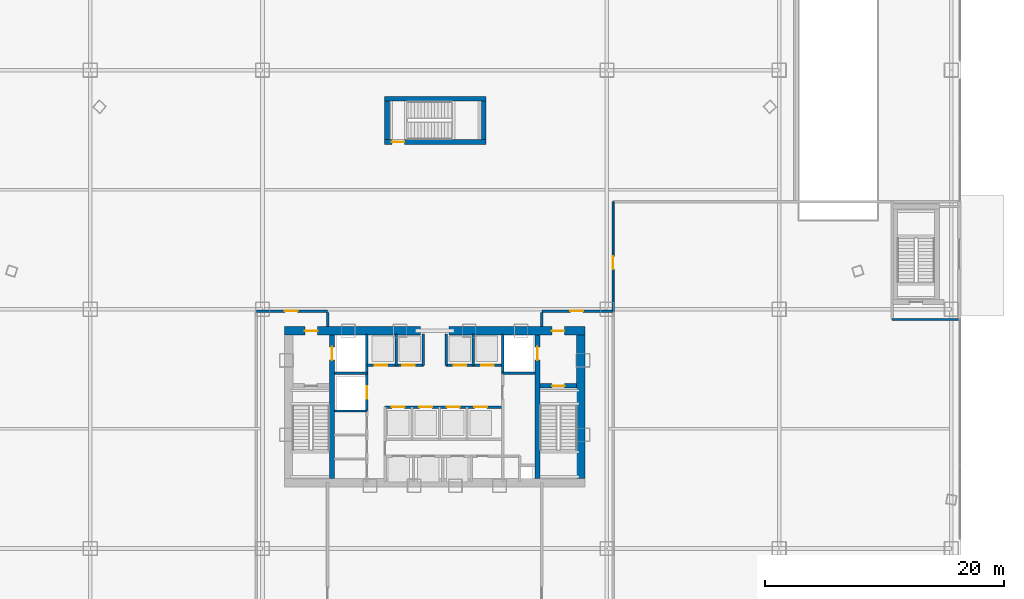
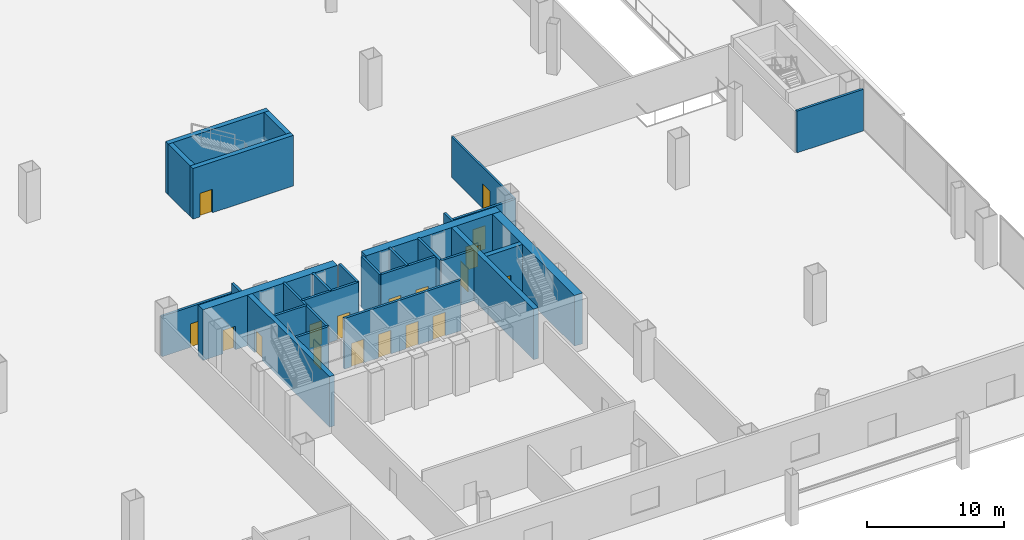
# One storey, part 51 of 58: 28 walls, 18 doors, 18 openings.
"""IFC4 building model written with IfcOpenShell, lengths in metres."""

from ifc_helpers import new_model, si_unit, direction, frame, frame_2d, origin, origin_with_axes, place, context, subcontext, project, spatial, rectangle, extrude, source, transform, mapped, material, layer, layer_set, type_object, element, fill, save


model = new_model("IFC4")

# Units and contexts
model_context = context("Model", 3, precision=1e-05, world=origin(), true_north=direction((0.0, 1.0)))
body_context = subcontext(model_context, "Body", "Model", "MODEL_VIEW")
ifc_project = project(units=[si_unit("LENGTHUNIT", "METRE"), si_unit("AREAUNIT", "SQUARE_METRE"), si_unit("VOLUMEUNIT", "CUBIC_METRE"), si_unit("PLANEANGLEUNIT", "RADIAN"), si_unit("MASSUNIT", "GRAM", prefix="KILO"), si_unit("THERMODYNAMICTEMPERATUREUNIT", "KELVIN"), si_unit("POWERUNIT", "WATT")], contexts=[model_context])

# Site, building, storey
site_placement = place(None, origin())
site = spatial("IfcSite", under=ifc_project, at=site_placement, CompositionType="ELEMENT")
building_placement = place(site_placement, origin())
building = spatial("IfcBuilding", under=site, at=building_placement, Name="Yunzhuo Pagoda Commons", CompositionType="ELEMENT")
storey_placement = place(building_placement, origin())
storey = spatial("IfcBuildingStorey", under=building, at=storey_placement, Name="L01", CompositionType="ELEMENT", Elevation=0.0)

# Wall, opening, door
ifc_material_1 = material(Name="Concrete C60", Category="concrete")
ifc_layer_1 = layer(ifc_material_1, 0.699951171875)
ifc_layer_set_1 = layer_set([ifc_layer_1], Name="Concrete C60")
wall_type_1 = type_object("IfcWallType", Name="W-C01 Lower Core Shear Wall 700", PredefinedType="SHEAR", material=ifc_layer_set_1)
wall_1_placement = place(storey_placement, frame((35.449951171875, 40.199951171875, 0.0), z_axis=(0.0, 0.0, 1.0), x_axis=(1.0, 0.0, 0.0)))
wall_1 = element("IfcWall", 1, at=wall_1_placement, inside=storey, type_object=wall_type_1, Name="L01 core shear wall NW", PredefinedType="SHEAR", context=body_context, shape_type="SweptSolid", body=[
    extrude(rectangle(XDim=11.35009765625, YDim=0.699951171875, at=frame_2d((5.675048828125, 0.0))), origin(), (0.0, 0.0, 1.0), 4.52001953125),
])
opening_1_placement = place(wall_1_placement, frame((1.699951171875, 0.0, 0.0)))
opening_1 = element("IfcOpeningElement", 2, at=opening_1_placement, cuts=wall_1, Name="Opening D-02", PredefinedType="OPENING", context=body_context, shape_type="SweptSolid", body=[
    extrude(rectangle(XDim=1.050048828125, YDim=2.10009765625, at=frame_2d((0.52490234375, 1.050048828125))), frame((0.0, 0.35986328125, 0.0), z_axis=(0.0, -1.0, 0.0), x_axis=(1.0, 0.0, 0.0)), (0.0, 0.0, 1.0), 0.719970703125),
])
ifc_material_2 = material(Name="Galvanized fire-resisting metal leaf")
door_type_1 = type_object("IfcDoorType", Name="D-02 Firefighting Lobby & Refuge Fire Door 1050x2100", OperationType="NOTDEFINED", PredefinedType="DOOR", material=ifc_material_2)
shared_shape_1 = source(origin(), body_context, "Body", "SweptSolid", [
    extrude(rectangle(XDim=1.050048828125, YDim=2.10009765625, at=frame_2d((0.52490234375, 1.050048828125))), frame((0.0, 0.02490234375, 0.0), z_axis=(0.0, -1.0, 0.0), x_axis=(1.0, 0.0, 0.0)), (0.0, 0.0, 1.0), 0.050048828125),
])
door_1_placement = place(opening_1_placement, origin_with_axes())
door_1 = element("IfcDoor", 3, at=door_1_placement, inside=storey, type_object=door_type_1, Name="L01 Firefighting Lobby 1 fire door", OperationType="SINGLE_SWING_LEFT", OverallHeight=2.10009765625, OverallWidth=1.050048828125, PredefinedType="DOOR", context=body_context, shape_type="MappedRepresentation", body=[
    mapped(shared_shape_1, transform((0.0, 0.0, 0.0), scale=1.0)),
])
fill(opening_1, door_1)

wall_2_placement = place(storey_placement, frame((49.199951171875, 40.199951171875, 0.0), z_axis=(0.0, 0.0, 1.0), x_axis=(1.0, 0.0, 0.0)))
wall_2 = element("IfcWall", 4, at=wall_2_placement, inside=storey, type_object=wall_type_1, Name="L01 core shear wall NE", PredefinedType="SHEAR", context=body_context, shape_type="SweptSolid", body=[
    extrude(rectangle(XDim=11.35009765625, YDim=0.699951171875, at=frame_2d((5.675048828125, 0.0))), origin(), (0.0, 0.0, 1.0), 4.52001953125),
])
opening_2_placement = place(wall_2_placement, frame((8.60009765625, 0.0, 0.0)))
opening_2 = element("IfcOpeningElement", 5, at=opening_2_placement, cuts=wall_2, Name="Opening D-02", PredefinedType="OPENING", context=body_context, shape_type="SweptSolid", body=[
    extrude(rectangle(XDim=1.050048828125, YDim=2.10009765625, at=frame_2d((0.52490234375, 1.050048828125))), frame((0.0, 0.35986328125, 0.0), z_axis=(0.0, -1.0, 0.0), x_axis=(1.0, 0.0, 0.0)), (0.0, 0.0, 1.0), 0.719970703125),
])
door_2_placement = place(opening_2_placement, origin_with_axes())
door_2 = element("IfcDoor", 6, at=door_2_placement, inside=storey, type_object=door_type_1, Name="L01 Firefighting Lobby 2 fire door", OperationType="SINGLE_SWING_RIGHT", OverallHeight=2.10009765625, OverallWidth=1.050048828125, PredefinedType="DOOR", context=body_context, shape_type="MappedRepresentation", body=[
    mapped(shared_shape_1, transform((0.0, 0.0, 0.0), scale=1.0)),
])
fill(opening_2, door_2)

# Wall
wall_3_placement = place(storey_placement, frame((60.199951171875, 27.85009765625, 0.0), z_axis=(0.0, 0.0, 1.0), x_axis=(0.0, 1.0, 0.0)))
element("IfcWall", 7, at=wall_3_placement, inside=storey, type_object=wall_type_1, Name="L01 core shear wall E", PredefinedType="SHEAR", context=body_context, shape_type="SweptSolid", body=[
    extrude(rectangle(XDim=12.0, YDim=0.699951171875, at=frame_2d((6.0, 0.0))), origin(), (0.0, 0.0, 1.0), 4.52001953125),
])

# Wall, opening, door
ifc_material_3 = material(Name="Gypsum plasterboard on acoustic stud")
ifc_layer_2 = layer(ifc_material_3, 0.159912109375)
ifc_layer_set_2 = layer_set([ifc_layer_2], Name="Gypsum plasterboard on acoustic stud")
wall_type_2 = type_object("IfcWallType", Name="W-COR1 Tower Rated Corridor Wall 160", PredefinedType="PARTITIONING", material=ifc_layer_set_2)
wall_4_placement = place(storey_placement, frame((62.919921875, 41.85009765625, 0.0), z_axis=(0.0, 0.0, 1.0), x_axis=(0.0, 1.0, 0.0)))
wall_4 = element("IfcWall", 8, at=wall_4_placement, inside=storey, type_object=wall_type_2, Name="L01 interior wall IW-L01-RETW", PredefinedType="PARTITIONING", context=body_context, shape_type="SweptSolid", body=[
    extrude(rectangle(XDim=9.14990234375, YDim=0.159912109375, at=frame_2d((4.574951171875, 0.0))), origin(), (0.0, 0.0, 1.0), 3.6201171875),
])
opening_3_placement = place(wall_4_placement, frame((3.5, 0.0, 0.0)))
opening_3 = element("IfcOpeningElement", 9, at=opening_3_placement, cuts=wall_4, Name="Opening D-09", PredefinedType="OPENING", context=body_context, shape_type="SweptSolid", body=[
    extrude(rectangle(XDim=1.10009765625, YDim=2.14990234375, at=frame_2d((0.550048828125, 1.074951171875))), frame((0.0, 0.08984375, 0.0), z_axis=(0.0, -1.0, 0.0), x_axis=(1.0, 0.0, 0.0)), (0.0, 0.0, 1.0), 0.179931640625),
])
door_type_2 = type_object("IfcDoorType", Name="D-09 Podium Commons Hall Fire Door 1100x2150", OperationType="NOTDEFINED", PredefinedType="DOOR", material=ifc_material_2)
shared_shape_2 = source(origin(), body_context, "Body", "SweptSolid", [
    extrude(rectangle(XDim=1.10009765625, YDim=2.14990234375, at=frame_2d((0.550048828125, 1.074951171875))), frame((0.0, 0.02490234375, 0.0), z_axis=(0.0, -1.0, 0.0), x_axis=(1.0, 0.0, 0.0)), (0.0, 0.0, 1.0), 0.050048828125),
])
door_3_placement = place(opening_3_placement, origin_with_axes())
door_3 = element("IfcDoor", 10, at=door_3_placement, inside=storey, type_object=door_type_2, Name="Commons retail door", OperationType="SINGLE_SWING_LEFT", OverallHeight=2.14990234375, OverallWidth=1.10009765625, PredefinedType="DOOR", context=body_context, shape_type="MappedRepresentation", body=[
    mapped(shared_shape_2, transform((0.0, 0.0, 0.0), scale=1.0)),
])
fill(opening_3, door_3)

ifc_layer_3 = layer(ifc_material_1, 0.39990234375)
ifc_layer_set_3 = layer_set([ifc_layer_3], Name="Concrete C60")
wall_type_3 = type_object("IfcWallType", Name="W-S01 Internal Core Shear Web 400", PredefinedType="SHEAR", material=ifc_layer_set_3)
wall_5_placement = place(storey_placement, frame((39.39990234375, 27.85009765625, 0.0), z_axis=(0.0, 0.0, 1.0), x_axis=(0.0, 1.0, 0.0)))
wall_5 = element("IfcWall", 11, at=wall_5_placement, inside=storey, type_object=wall_type_3, Name="L01 core shear wall WEBW", PredefinedType="SHEAR", context=body_context, shape_type="SweptSolid", body=[
    extrude(rectangle(XDim=12.0, YDim=0.39990234375, at=frame_2d((6.0, 0.0))), origin(), (0.0, 0.0, 1.0), 4.52001953125),
])
opening_4_placement = place(wall_5_placement, frame((9.89990234375, 0.0, 0.0)))
opening_4 = element("IfcOpeningElement", 12, at=opening_4_placement, cuts=wall_5, Name="Opening LD-01", PredefinedType="OPENING", context=body_context, shape_type="SweptSolid", body=[
    extrude(rectangle(XDim=1.10009765625, YDim=2.10009765625, at=frame_2d((0.550048828125, 1.050048828125))), frame((0.0, 0.2099609375, 0.0), z_axis=(0.0, -1.0, 0.0), x_axis=(1.0, 0.0, 0.0)), (0.0, 0.0, 1.0), 0.419921875),
])
door_type_3 = type_object("IfcDoorType", Name="LD-01 Firefighting Lift Landing Door 1100x2100", OperationType="DOUBLE_DOOR_SLIDING", PredefinedType="DOOR", material=ifc_material_2)
shared_shape_3 = source(origin(), body_context, "Body", "SweptSolid", [
    extrude(rectangle(XDim=1.10009765625, YDim=2.10009765625, at=frame_2d((0.550048828125, 1.050048828125))), frame((0.0, 0.02490234375, 0.0), z_axis=(0.0, -1.0, 0.0), x_axis=(1.0, 0.0, 0.0)), (0.0, 0.0, 1.0), 0.050048828125),
])
door_4_placement = place(opening_4_placement, frame((1.10009765625, 0.0, 0.0), z_axis=(0.0, 0.0, 1.0), x_axis=(-1.0, 0.0, 0.0)))
door_4 = element("IfcDoor", 13, at=door_4_placement, inside=storey, type_object=door_type_3, Name="L01 Firefighting lift FL-1 landing door", OperationType="DOUBLE_DOOR_SLIDING", OverallHeight=2.10009765625, OverallWidth=1.10009765625, PredefinedType="DOOR", context=body_context, shape_type="MappedRepresentation", body=[
    mapped(shared_shape_3, transform((0.0, 0.0, 0.0), scale=1.0)),
])
fill(opening_4, door_4)

wall_6_placement = place(storey_placement, frame((56.60009765625, 27.85009765625, 0.0), z_axis=(0.0, 0.0, 1.0), x_axis=(0.0, 1.0, 0.0)))
wall_6 = element("IfcWall", 14, at=wall_6_placement, inside=storey, type_object=wall_type_3, Name="L01 core shear wall WEBE", PredefinedType="SHEAR", context=body_context, shape_type="SweptSolid", body=[
    extrude(rectangle(XDim=12.0, YDim=0.39990234375, at=frame_2d((6.0, 0.0))), origin(), (0.0, 0.0, 1.0), 4.52001953125),
])
opening_5_placement = place(wall_6_placement, frame((9.89990234375, 0.0, 0.0)))
opening_5 = element("IfcOpeningElement", 15, at=opening_5_placement, cuts=wall_6, Name="Opening LD-01", PredefinedType="OPENING", context=body_context, shape_type="SweptSolid", body=[
    extrude(rectangle(XDim=1.10009765625, YDim=2.10009765625, at=frame_2d((0.550048828125, 1.050048828125))), frame((0.0, 0.2099609375, 0.0), z_axis=(0.0, -1.0, 0.0), x_axis=(1.0, 0.0, 0.0)), (0.0, 0.0, 1.0), 0.419921875),
])
door_5_placement = place(opening_5_placement, origin_with_axes())
door_5 = element("IfcDoor", 16, at=door_5_placement, inside=storey, type_object=door_type_3, Name="L01 Firefighting lift FL-2 landing door", OperationType="DOUBLE_DOOR_SLIDING", OverallHeight=2.10009765625, OverallWidth=1.10009765625, PredefinedType="DOOR", context=body_context, shape_type="MappedRepresentation", body=[
    mapped(shared_shape_3, transform((0.0, 0.0, 0.0), scale=1.0)),
])
fill(opening_5, door_5)

wall_7_placement = place(storey_placement, frame((56.800048828125, 35.60009765625, 0.0), z_axis=(0.0, 0.0, 1.0), x_axis=(1.0, 0.0, 0.0)))
wall_7 = element("IfcWall", 17, at=wall_7_placement, inside=storey, type_object=wall_type_3, Name="L01 core shear wall STE", PredefinedType="SHEAR", context=body_context, shape_type="SweptSolid", body=[
    extrude(rectangle(XDim=3.050048828125, YDim=0.39990234375, at=frame_2d((1.52490234375, 0.0))), origin(), (0.0, 0.0, 1.0), 4.52001953125),
])
opening_6_placement = place(wall_7_placement, frame((1.02001953125, 0.0, 0.0)))
opening_6 = element("IfcOpeningElement", 18, at=opening_6_placement, cuts=wall_7, Name="Opening D-01", PredefinedType="OPENING", context=body_context, shape_type="SweptSolid", body=[
    extrude(rectangle(XDim=1.050048828125, YDim=2.10009765625, at=frame_2d((0.52490234375, 1.050048828125))), frame((0.0, 0.2099609375, 0.0), z_axis=(0.0, -1.0, 0.0), x_axis=(1.0, 0.0, 0.0)), (0.0, 0.0, 1.0), 0.419921875),
])
door_type_4 = type_object("IfcDoorType", Name="D-01 Smokeproof Stair Fire Door 1050x2100", OperationType="NOTDEFINED", PredefinedType="DOOR", material=ifc_material_2)
door_6_placement = place(opening_6_placement, origin_with_axes())
door_6 = element("IfcDoor", 19, at=door_6_placement, inside=storey, type_object=door_type_4, Name="L01 Stair ST2 fire door", OperationType="SINGLE_SWING_RIGHT", OverallHeight=2.10009765625, OverallWidth=1.050048828125, PredefinedType="DOOR", context=body_context, shape_type="MappedRepresentation", body=[
    mapped(shared_shape_1, transform((0.0, 0.0, 0.0), scale=1.0)),
])
fill(opening_6, door_6)

# Wall
wall_8_placement = place(storey_placement, frame((43.800048828125, 59.60009765625, 0.0), z_axis=(0.0, 0.0, 1.0), x_axis=(1.0, 0.0, 0.0)))
element("IfcWall", 20, at=wall_8_placement, inside=storey, type_object=wall_type_3, Name="L01 ST3 structural stair wall N", PredefinedType="SHEAR", context=body_context, shape_type="SweptSolid", body=[
    extrude(rectangle(XDim=8.5, YDim=0.39990234375, at=frame_2d((4.25, 0.0))), origin(), (0.0, 0.0, 1.0), 4.52001953125),
])

# Wall, opening, door
wall_9_placement = place(storey_placement, frame((43.800048828125, 56.0, 0.0), z_axis=(0.0, 0.0, 1.0), x_axis=(1.0, 0.0, 0.0)))
wall_9 = element("IfcWall", 21, at=wall_9_placement, inside=storey, type_object=wall_type_3, Name="L01 ST3 structural stair wall S", PredefinedType="SHEAR", context=body_context, shape_type="SweptSolid", body=[
    extrude(rectangle(XDim=8.5, YDim=0.39990234375, at=frame_2d((4.25, 0.0))), origin(), (0.0, 0.0, 1.0), 4.52001953125),
])
opening_7_placement = place(wall_9_placement, frame((0.6201171875, 0.0, 0.0)))
opening_7 = element("IfcOpeningElement", 22, at=opening_7_placement, cuts=wall_9, Name="Opening D-01", PredefinedType="OPENING", context=body_context, shape_type="SweptSolid", body=[
    extrude(rectangle(XDim=1.050048828125, YDim=2.10009765625, at=frame_2d((0.52490234375, 1.050048828125))), frame((0.0, 0.2099609375, 0.0), z_axis=(0.0, -1.0, 0.0), x_axis=(1.0, 0.0, 0.0)), (0.0, 0.0, 1.0), 0.419921875),
])
door_7_placement = place(opening_7_placement, origin_with_axes())
door_7 = element("IfcDoor", 23, at=door_7_placement, inside=storey, type_object=door_type_4, Name="L01 Stair ST3 fire door", OperationType="SINGLE_SWING_LEFT", OverallHeight=2.10009765625, OverallWidth=1.050048828125, PredefinedType="DOOR", context=body_context, shape_type="MappedRepresentation", body=[
    mapped(shared_shape_1, transform((0.0, 0.0, 0.0), scale=1.0)),
])
fill(opening_7, door_7)

# Walls
for number, where, z_axis, x_axis, name in (
    (24, (44.0, 56.199951171875, 0.0), (0.0, 0.0, 1.0), (0.0, 1.0, 0.0), "L01 ST3 structural stair wall W"),
    (25, (52.10009765625, 56.199951171875, 0.0), (0.0, 0.0, 1.0), (0.0, 1.0, 0.0), "L01 ST3 structural stair wall E"),
):
    element("IfcWall", number, at=place(storey_placement, frame(where, z_axis=z_axis, x_axis=x_axis)), inside=storey, type_object=wall_type_3, Name=name, PredefinedType="SHEAR", context=body_context, shape_type="SweptSolid", body=[
        extrude(rectangle(XDim=3.199951171875, YDim=0.39990234375, at=frame_2d((1.60009765625, 0.0))), origin(), (0.0, 0.0, 1.0), 4.52001953125),
    ])

# Wall, opening, door
ifc_material_4 = material(Name="Concrete C40", Category="concrete")
ifc_layer_4 = layer(ifc_material_4, 0.199951171875)
ifc_layer_set_4 = layer_set([ifc_layer_4], Name="Concrete C40")
wall_type_4 = type_object("IfcWallType", Name="W-SHF Shaft & Stair Enclosure Wall 200", PredefinedType="SOLIDWALL", material=ifc_layer_set_4)
wall_10_placement = place(storey_placement, frame((42.320068359375, 33.5, 0.0), z_axis=(0.0, 0.0, 1.0), x_axis=(0.0, 1.0, 0.0)))
wall_10 = element("IfcWall", 26, at=wall_10_placement, inside=storey, type_object=wall_type_4, Name="L01 interior wall IW-L01-FL1E", PredefinedType="SOLIDWALL", context=body_context, shape_type="SweptSolid", body=[
    extrude(rectangle(XDim=6.449951171875, YDim=0.199951171875, at=frame_2d((3.22509765625, 0.0))), origin(), (0.0, 0.0, 1.0), 4.52001953125),
])
opening_8_placement = place(wall_10_placement, frame((1.0, 0.0, 0.0)))
opening_8 = element("IfcOpeningElement", 27, at=opening_8_placement, cuts=wall_10, Name="Opening LD-02", PredefinedType="OPENING", context=body_context, shape_type="SweptSolid", body=[
    extrude(rectangle(XDim=1.050048828125, YDim=2.10009765625, at=frame_2d((0.52490234375, 1.050048828125))), frame((0.0, 0.10986328125, 0.0), z_axis=(0.0, -1.0, 0.0), x_axis=(1.0, 0.0, 0.0)), (0.0, 0.0, 1.0), 0.219970703125),
])
door_type_5 = type_object("IfcDoorType", Name="LD-02 Passenger Lift Landing Door 1050x2100", OperationType="DOUBLE_DOOR_SLIDING", PredefinedType="DOOR", material=ifc_material_2)
door_8_placement = place(opening_8_placement, origin_with_axes())
door_8 = element("IfcDoor", 28, at=door_8_placement, inside=storey, type_object=door_type_5, Name="L01 Service lift SL-1 landing door", OperationType="DOUBLE_DOOR_SLIDING", OverallHeight=2.10009765625, OverallWidth=1.050048828125, PredefinedType="DOOR", context=body_context, shape_type="MappedRepresentation", body=[
    mapped(shared_shape_1, transform((0.0, 0.0, 0.0), scale=1.0)),
])
fill(opening_8, door_8)

# Walls
for number, where, z_axis, x_axis, name in (
    (29, (39.60009765625, 36.64990234375, 0.0), (0.0, 0.0, 1.0), (1.0, 0.0, 0.0), "L01 interior wall IW-L01-FL1S"),
    (30, (39.60009765625, 33.5, 0.0), (0.0, 0.0, 1.0), (1.0, 0.0, 0.0), "L01 interior wall IW-L01-SL1S"),
):
    element("IfcWall", number, at=place(storey_placement, frame(where, z_axis=z_axis, x_axis=x_axis)), inside=storey, type_object=wall_type_4, Name=name, PredefinedType="SOLIDWALL", context=body_context, shape_type="SweptSolid", body=[
        extrude(rectangle(XDim=2.719970703125, YDim=0.199951171875, at=frame_2d((1.35986328125, 0.0))), origin(), (0.0, 0.0, 1.0), 4.52001953125),
    ])
wall_11_placement = place(storey_placement, frame((53.679931640625, 36.64990234375, 0.0), z_axis=(0.0, 0.0, 1.0), x_axis=(0.0, 1.0, 0.0)))
element("IfcWall", 31, at=wall_11_placement, inside=storey, type_object=wall_type_4, Name="L01 interior wall IW-L01-FL2W", PredefinedType="SOLIDWALL", context=body_context, shape_type="SweptSolid", body=[
    extrude(rectangle(XDim=3.300048828125, YDim=0.199951171875, at=frame_2d((1.64990234375, 0.0))), origin(), (0.0, 0.0, 1.0), 4.52001953125),
])
wall_12_placement = place(storey_placement, frame((53.679931640625, 36.64990234375, 0.0), z_axis=(0.0, 0.0, 1.0), x_axis=(1.0, 0.0, 0.0)))
element("IfcWall", 32, at=wall_12_placement, inside=storey, type_object=wall_type_4, Name="L01 interior wall IW-L01-FL2S", PredefinedType="SOLIDWALL", context=body_context, shape_type="SweptSolid", body=[
    extrude(rectangle(XDim=2.719970703125, YDim=0.199951171875, at=frame_2d((1.35986328125, 0.0))), origin(), (0.0, 0.0, 1.0), 4.52001953125),
])

# Wall, openings, doors
wall_13_placement = place(storey_placement, frame((42.320068359375, 37.320068359375, 0.0), z_axis=(0.0, 0.0, 1.0), x_axis=(1.0, 0.0, 0.0)))
wall_13 = element("IfcWall", 33, at=wall_13_placement, inside=storey, type_object=wall_type_4, Name="L01 interior wall IW-L01-LBNW", PredefinedType="SOLIDWALL", context=body_context, shape_type="SweptSolid", body=[
    extrude(rectangle(XDim=4.72998046875, YDim=0.199951171875, at=frame_2d((2.364990234375, 0.0))), origin(), (0.0, 0.0, 1.0), 4.52001953125),
])
opening_9_placement = place(wall_13_placement, frame((0.64990234375, 0.0, 0.0)))
opening_9 = element("IfcOpeningElement", 34, at=opening_9_placement, cuts=wall_13, Name="Opening LD-02", PredefinedType="OPENING", context=body_context, shape_type="SweptSolid", body=[
    extrude(rectangle(XDim=1.050048828125, YDim=2.10009765625, at=frame_2d((0.52490234375, 1.050048828125))), frame((0.0, 0.10986328125, 0.0), z_axis=(0.0, -1.0, 0.0), x_axis=(1.0, 0.0, 0.0)), (0.0, 0.0, 1.0), 0.219970703125),
])
opening_10_placement = place(wall_13_placement, frame((2.949951171875, 0.0, 0.0)))
opening_10 = element("IfcOpeningElement", 35, at=opening_10_placement, cuts=wall_13, Name="Opening LD-02", PredefinedType="OPENING", context=body_context, shape_type="SweptSolid", body=[
    extrude(rectangle(XDim=1.050048828125, YDim=2.10009765625, at=frame_2d((0.52490234375, 1.050048828125))), frame((0.0, 0.10986328125, 0.0), z_axis=(0.0, -1.0, 0.0), x_axis=(1.0, 0.0, 0.0)), (0.0, 0.0, 1.0), 0.219970703125),
])
door_9_placement = place(opening_9_placement, frame((1.050048828125, 0.0, 0.0), z_axis=(0.0, 0.0, 1.0), x_axis=(-1.0, 0.0, 0.0)))
door_9 = element("IfcDoor", 36, at=door_9_placement, inside=storey, type_object=door_type_5, Name="L01 Passenger lift PL-L1 landing door", OperationType="DOUBLE_DOOR_SLIDING", OverallHeight=2.10009765625, OverallWidth=1.050048828125, PredefinedType="DOOR", context=body_context, shape_type="MappedRepresentation", body=[
    mapped(shared_shape_1, transform((0.0, 0.0, 0.0), scale=1.0)),
])
fill(opening_9, door_9)
door_10_placement = place(opening_10_placement, frame((1.050048828125, 0.0, 0.0), z_axis=(0.0, 0.0, 1.0), x_axis=(-1.0, 0.0, 0.0)))
door_10 = element("IfcDoor", 37, at=door_10_placement, inside=storey, type_object=door_type_5, Name="L01 Passenger lift PL-L2 landing door", OperationType="DOUBLE_DOOR_SLIDING", OverallHeight=2.10009765625, OverallWidth=1.050048828125, PredefinedType="DOOR", context=body_context, shape_type="MappedRepresentation", body=[
    mapped(shared_shape_1, transform((0.0, 0.0, 0.0), scale=1.0)),
])
fill(opening_10, door_10)

wall_14_placement = place(storey_placement, frame((48.949951171875, 37.320068359375, 0.0), z_axis=(0.0, 0.0, 1.0), x_axis=(1.0, 0.0, 0.0)))
wall_14 = element("IfcWall", 38, at=wall_14_placement, inside=storey, type_object=wall_type_4, Name="L01 interior wall IW-L01-LBNE", PredefinedType="SOLIDWALL", context=body_context, shape_type="SweptSolid", body=[
    extrude(rectangle(XDim=4.72998046875, YDim=0.199951171875, at=frame_2d((2.364990234375, 0.0))), origin(), (0.0, 0.0, 1.0), 4.52001953125),
])
opening_11_placement = place(wall_14_placement, frame((0.64990234375, 0.0, 0.0)))
opening_11 = element("IfcOpeningElement", 39, at=opening_11_placement, cuts=wall_14, Name="Opening LD-02", PredefinedType="OPENING", context=body_context, shape_type="SweptSolid", body=[
    extrude(rectangle(XDim=1.050048828125, YDim=2.10009765625, at=frame_2d((0.52490234375, 1.050048828125))), frame((0.0, 0.10986328125, 0.0), z_axis=(0.0, -1.0, 0.0), x_axis=(1.0, 0.0, 0.0)), (0.0, 0.0, 1.0), 0.219970703125),
])
opening_12_placement = place(wall_14_placement, frame((2.949951171875, 0.0, 0.0)))
opening_12 = element("IfcOpeningElement", 40, at=opening_12_placement, cuts=wall_14, Name="Opening LD-02", PredefinedType="OPENING", context=body_context, shape_type="SweptSolid", body=[
    extrude(rectangle(XDim=1.050048828125, YDim=2.10009765625, at=frame_2d((0.52490234375, 1.050048828125))), frame((0.0, 0.10986328125, 0.0), z_axis=(0.0, -1.0, 0.0), x_axis=(1.0, 0.0, 0.0)), (0.0, 0.0, 1.0), 0.219970703125),
])
door_11_placement = place(opening_11_placement, frame((1.050048828125, 0.0, 0.0), z_axis=(0.0, 0.0, 1.0), x_axis=(-1.0, 0.0, 0.0)))
door_11 = element("IfcDoor", 41, at=door_11_placement, inside=storey, type_object=door_type_5, Name="L01 Passenger lift PL-L3 landing door", OperationType="DOUBLE_DOOR_SLIDING", OverallHeight=2.10009765625, OverallWidth=1.050048828125, PredefinedType="DOOR", context=body_context, shape_type="MappedRepresentation", body=[
    mapped(shared_shape_1, transform((0.0, 0.0, 0.0), scale=1.0)),
])
fill(opening_11, door_11)
door_12_placement = place(opening_12_placement, frame((1.050048828125, 0.0, 0.0), z_axis=(0.0, 0.0, 1.0), x_axis=(-1.0, 0.0, 0.0)))
door_12 = element("IfcDoor", 42, at=door_12_placement, inside=storey, type_object=door_type_5, Name="L01 Passenger lift PL-L4 landing door", OperationType="DOUBLE_DOOR_SLIDING", OverallHeight=2.10009765625, OverallWidth=1.050048828125, PredefinedType="DOOR", context=body_context, shape_type="MappedRepresentation", body=[
    mapped(shared_shape_1, transform((0.0, 0.0, 0.0), scale=1.0)),
])
fill(opening_12, door_12)

# Walls
for number, where, z_axis, x_axis, name in (
    (43, (47.050048828125, 37.320068359375, 0.0), (0.0, 0.0, 1.0), (0.0, 1.0, 0.0), "L01 interior wall IW-L01-THRW"),
    (44, (48.949951171875, 37.320068359375, 0.0), (0.0, 0.0, 1.0), (0.0, 1.0, 0.0), "L01 interior wall IW-L01-THRE"),
    (45, (44.77001953125, 37.320068359375, 0.0), (0.0, 0.0, 1.0), (0.0, 1.0, 0.0), "L01 interior wall IW-L01-PLL12"),
    (46, (51.22998046875, 37.320068359375, 0.0), (0.0, 0.0, 1.0), (0.0, 1.0, 0.0), "L01 interior wall IW-L01-PLL34"),
):
    element("IfcWall", number, at=place(storey_placement, frame(where, z_axis=z_axis, x_axis=x_axis)), inside=storey, type_object=wall_type_4, Name=name, PredefinedType="SOLIDWALL", context=body_context, shape_type="SweptSolid", body=[
        extrude(rectangle(XDim=2.6298828125, YDim=0.199951171875, at=frame_2d((1.31494140625, 0.0))), origin(), (0.0, 0.0, 1.0), 4.52001953125),
    ])

# Wall, openings, doors
wall_15_placement = place(storey_placement, frame((43.85009765625, 33.820068359375, 0.0), z_axis=(0.0, 0.0, 1.0), x_axis=(1.0, 0.0, 0.0)))
wall_15 = element("IfcWall", 47, at=wall_15_placement, inside=storey, type_object=wall_type_4, Name="L01 interior wall IW-L01-MLBS", PredefinedType="SOLIDWALL", context=body_context, shape_type="SweptSolid", body=[
    extrude(rectangle(XDim=9.829833984375, YDim=0.199951171875, at=frame_2d((4.9150390625, 0.0))), origin(), (0.0, 0.0, 1.0), 4.52001953125),
])
opening_13_placement = place(wall_15_placement, frame((0.574951171875, 0.0, 0.0)))
opening_13 = element("IfcOpeningElement", 48, at=opening_13_placement, cuts=wall_15, Name="Opening LD-02", PredefinedType="OPENING", context=body_context, shape_type="SweptSolid", body=[
    extrude(rectangle(XDim=1.050048828125, YDim=2.10009765625, at=frame_2d((0.52490234375, 1.050048828125))), frame((0.0, 0.10986328125, 0.0), z_axis=(0.0, -1.0, 0.0), x_axis=(1.0, 0.0, 0.0)), (0.0, 0.0, 1.0), 0.219970703125),
])
opening_14_placement = place(wall_15_placement, frame((2.875, 0.0, 0.0)))
opening_14 = element("IfcOpeningElement", 49, at=opening_14_placement, cuts=wall_15, Name="Opening LD-02", PredefinedType="OPENING", context=body_context, shape_type="SweptSolid", body=[
    extrude(rectangle(XDim=1.050048828125, YDim=2.10009765625, at=frame_2d((0.52490234375, 1.050048828125))), frame((0.0, 0.10986328125, 0.0), z_axis=(0.0, -1.0, 0.0), x_axis=(1.0, 0.0, 0.0)), (0.0, 0.0, 1.0), 0.219970703125),
])
opening_15_placement = place(wall_15_placement, frame((5.175048828125, 0.0, 0.0)))
opening_15 = element("IfcOpeningElement", 50, at=opening_15_placement, cuts=wall_15, Name="Opening LD-02", PredefinedType="OPENING", context=body_context, shape_type="SweptSolid", body=[
    extrude(rectangle(XDim=1.050048828125, YDim=2.10009765625, at=frame_2d((0.52490234375, 1.050048828125))), frame((0.0, 0.10986328125, 0.0), z_axis=(0.0, -1.0, 0.0), x_axis=(1.0, 0.0, 0.0)), (0.0, 0.0, 1.0), 0.219970703125),
])
opening_16_placement = place(wall_15_placement, frame((7.47509765625, 0.0, 0.0)))
opening_16 = element("IfcOpeningElement", 51, at=opening_16_placement, cuts=wall_15, Name="Opening LD-02", PredefinedType="OPENING", context=body_context, shape_type="SweptSolid", body=[
    extrude(rectangle(XDim=1.050048828125, YDim=2.10009765625, at=frame_2d((0.52490234375, 1.050048828125))), frame((0.0, 0.10986328125, 0.0), z_axis=(0.0, -1.0, 0.0), x_axis=(1.0, 0.0, 0.0)), (0.0, 0.0, 1.0), 0.219970703125),
])
door_13_placement = place(opening_13_placement, origin_with_axes())
door_13 = element("IfcDoor", 52, at=door_13_placement, inside=storey, type_object=door_type_5, Name="L01 Passenger lift PL-M1 landing door", OperationType="DOUBLE_DOOR_SLIDING", OverallHeight=2.10009765625, OverallWidth=1.050048828125, PredefinedType="DOOR", context=body_context, shape_type="MappedRepresentation", body=[
    mapped(shared_shape_1, transform((0.0, 0.0, 0.0), scale=1.0)),
])
fill(opening_13, door_13)
door_14_placement = place(opening_14_placement, origin_with_axes())
door_14 = element("IfcDoor", 53, at=door_14_placement, inside=storey, type_object=door_type_5, Name="L01 Passenger lift PL-M2 landing door", OperationType="DOUBLE_DOOR_SLIDING", OverallHeight=2.10009765625, OverallWidth=1.050048828125, PredefinedType="DOOR", context=body_context, shape_type="MappedRepresentation", body=[
    mapped(shared_shape_1, transform((0.0, 0.0, 0.0), scale=1.0)),
])
fill(opening_14, door_14)
door_15_placement = place(opening_15_placement, origin_with_axes())
door_15 = element("IfcDoor", 54, at=door_15_placement, inside=storey, type_object=door_type_5, Name="L01 Passenger lift PL-M3 landing door", OperationType="DOUBLE_DOOR_SLIDING", OverallHeight=2.10009765625, OverallWidth=1.050048828125, PredefinedType="DOOR", context=body_context, shape_type="MappedRepresentation", body=[
    mapped(shared_shape_1, transform((0.0, 0.0, 0.0), scale=1.0)),
])
fill(opening_15, door_15)
door_16_placement = place(opening_16_placement, origin_with_axes())
door_16 = element("IfcDoor", 55, at=door_16_placement, inside=storey, type_object=door_type_5, Name="L01 Passenger lift PL-M4 landing door", OperationType="DOUBLE_DOOR_SLIDING", OverallHeight=2.10009765625, OverallWidth=1.050048828125, PredefinedType="DOOR", context=body_context, shape_type="MappedRepresentation", body=[
    mapped(shared_shape_1, transform((0.0, 0.0, 0.0), scale=1.0)),
])
fill(opening_16, door_16)

# Wall
wall_16_placement = place(storey_placement, frame((86.25, 41.14990234375, 0.0), z_axis=(0.0, 0.0, 1.0), x_axis=(1.0, 0.0, 0.0)))
element("IfcWall", 56, at=wall_16_placement, inside=storey, type_object=wall_type_4, Name="L01 interior wall IW-L01-VSTPS4S", PredefinedType="SOLIDWALL", context=body_context, shape_type="SweptSolid", body=[
    extrude(rectangle(XDim=5.60009765625, YDim=0.199951171875, at=frame_2d((2.800048828125, 0.0))), origin(), (0.0, 0.0, 1.0), 3.719970703125),
])

# Wall, opening, door
wall_17_placement = place(storey_placement, frame((33.080078125, 41.85009765625, 0.0), z_axis=(0.0, 0.0, 1.0), x_axis=(1.0, 0.0, 0.0)))
wall_17 = element("IfcWall", 57, at=wall_17_placement, inside=storey, type_object=wall_type_4, Name="L01 interior wall IW-L01-EXWN", PredefinedType="SOLIDWALL", context=body_context, shape_type="SweptSolid", body=[
    extrude(rectangle(XDim=5.969970703125, YDim=0.199951171875, at=frame_2d((2.98486328125, 0.0))), origin(), (0.0, 0.0, 1.0), 3.6201171875),
])
opening_17_placement = place(wall_17_placement, frame((2.39990234375, 0.0, 0.0)))
opening_17 = element("IfcOpeningElement", 58, at=opening_17_placement, cuts=wall_17, Name="Opening D-02", PredefinedType="OPENING", context=body_context, shape_type="SweptSolid", body=[
    extrude(rectangle(XDim=1.050048828125, YDim=2.10009765625, at=frame_2d((0.52490234375, 1.050048828125))), frame((0.0, 0.10986328125, 0.0), z_axis=(0.0, -1.0, 0.0), x_axis=(1.0, 0.0, 0.0)), (0.0, 0.0, 1.0), 0.219970703125),
])
door_17_placement = place(opening_17_placement, frame((1.050048828125, 0.0, 0.0), z_axis=(0.0, 0.0, 1.0), x_axis=(-1.0, 0.0, 0.0)))
door_17 = element("IfcDoor", 59, at=door_17_placement, inside=storey, type_object=door_type_1, Name="L01 concourse to exit passage W", OperationType="SINGLE_SWING_LEFT", OverallHeight=2.10009765625, OverallWidth=1.050048828125, PredefinedType="DOOR", context=body_context, shape_type="MappedRepresentation", body=[
    mapped(shared_shape_1, transform((0.0, 0.0, 0.0), scale=1.0)),
])
fill(opening_17, door_17)

# Wall
wall_18_placement = place(storey_placement, frame((39.050048828125, 40.550048828125, 0.0), z_axis=(0.0, 0.0, 1.0), x_axis=(0.0, 1.0, 0.0)))
element("IfcWall", 60, at=wall_18_placement, inside=storey, type_object=wall_type_4, Name="L01 interior wall IW-L01-EXWNR", PredefinedType="SOLIDWALL", context=body_context, shape_type="SweptSolid", body=[
    extrude(rectangle(XDim=1.199951171875, YDim=0.199951171875, at=frame_2d((0.60009765625, 0.0))), origin(), (0.0, 0.0, 1.0), 4.52001953125),
])

# Wall, opening, door
wall_19_placement = place(storey_placement, frame((56.949951171875, 41.85009765625, 0.0), z_axis=(0.0, 0.0, 1.0), x_axis=(1.0, 0.0, 0.0)))
wall_19 = element("IfcWall", 61, at=wall_19_placement, inside=storey, type_object=wall_type_4, Name="L01 interior wall IW-L01-EXEN", PredefinedType="SOLIDWALL", context=body_context, shape_type="SweptSolid", body=[
    extrude(rectangle(XDim=5.969970703125, YDim=0.199951171875, at=frame_2d((2.98486328125, 0.0))), origin(), (0.0, 0.0, 1.0), 3.6201171875),
])
opening_18_placement = place(wall_19_placement, frame((2.39990234375, 0.0, 0.0)))
opening_18 = element("IfcOpeningElement", 62, at=opening_18_placement, cuts=wall_19, Name="Opening D-02", PredefinedType="OPENING", context=body_context, shape_type="SweptSolid", body=[
    extrude(rectangle(XDim=1.050048828125, YDim=2.10009765625, at=frame_2d((0.52490234375, 1.050048828125))), frame((0.0, 0.10986328125, 0.0), z_axis=(0.0, -1.0, 0.0), x_axis=(1.0, 0.0, 0.0)), (0.0, 0.0, 1.0), 0.219970703125),
])
door_18_placement = place(opening_18_placement, frame((1.050048828125, 0.0, 0.0), z_axis=(0.0, 0.0, 1.0), x_axis=(-1.0, 0.0, 0.0)))
door_18 = element("IfcDoor", 63, at=door_18_placement, inside=storey, type_object=door_type_1, Name="L01 concourse to exit passage E", OperationType="SINGLE_SWING_RIGHT", OverallHeight=2.10009765625, OverallWidth=1.050048828125, PredefinedType="DOOR", context=body_context, shape_type="MappedRepresentation", body=[
    mapped(shared_shape_1, transform((0.0, 0.0, 0.0), scale=1.0)),
])
fill(opening_18, door_18)

# Wall
wall_20_placement = place(storey_placement, frame((56.949951171875, 40.550048828125, 0.0), z_axis=(0.0, 0.0, 1.0), x_axis=(0.0, 1.0, 0.0)))
element("IfcWall", 64, at=wall_20_placement, inside=storey, type_object=wall_type_4, Name="L01 interior wall IW-L01-EXENR", PredefinedType="SOLIDWALL", context=body_context, shape_type="SweptSolid", body=[
    extrude(rectangle(XDim=1.199951171875, YDim=0.199951171875, at=frame_2d((0.60009765625, 0.0))), origin(), (0.0, 0.0, 1.0), 4.52001953125),
])

save(model, "model.ifc")
